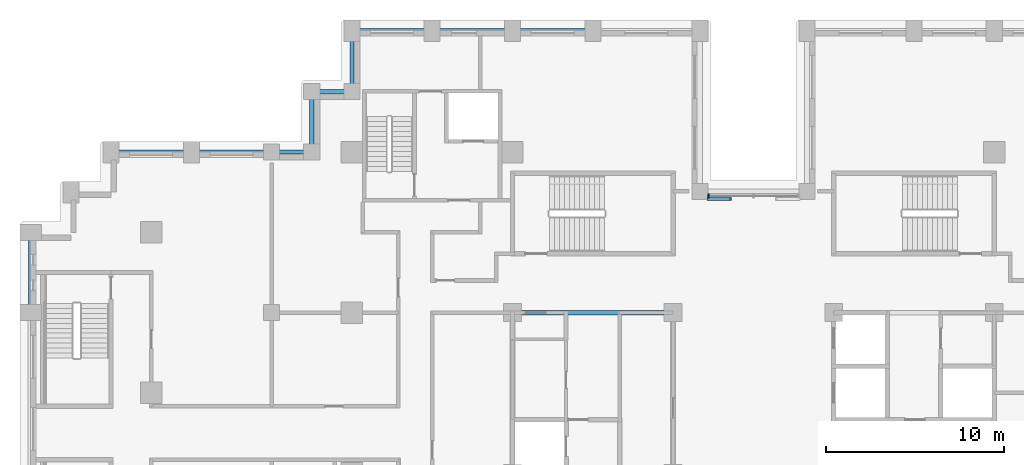
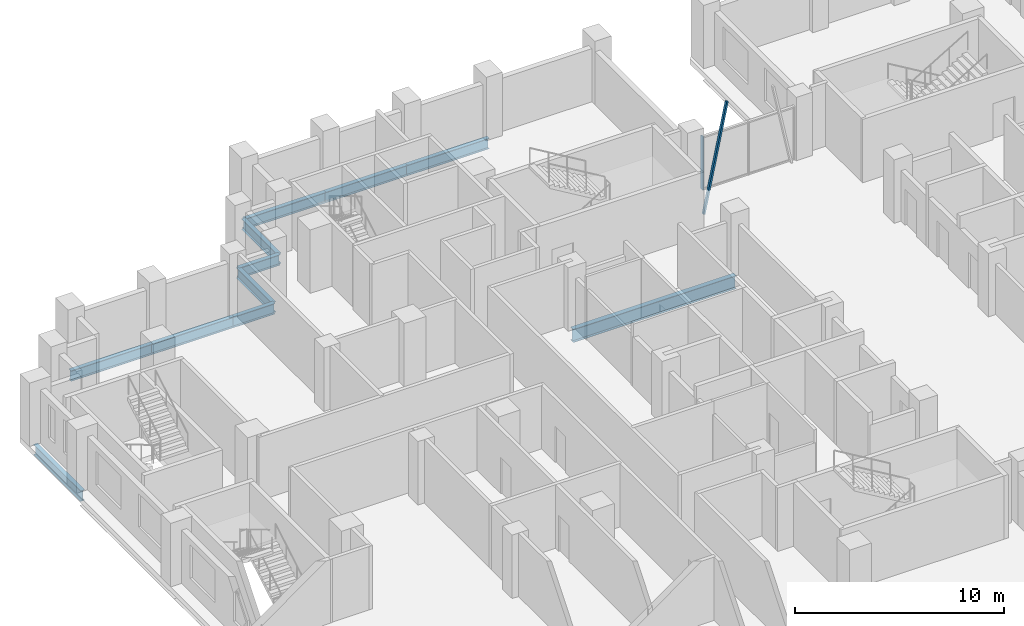
# One storey, part 3 of 16: 11 beams, 2 members, 1 element without a shape of its own.
"""IFC4 building model written with IfcOpenShell, lengths in metres."""

import ifcopenshell
import ifcopenshell.guid

model = None  # the IFC model being written
_history = None  # IfcOwnerHistory: only IFC2X3 demands one
_inside = {}  # id of a spatial element -> (the spatial element, [elements in it])
_under = {}  # id of a project, library or spatial element -> (it, [spatial elements below it])
_declared = {}  # id of a project -> (the project, [libraries it declares])
_typed = {}  # id of a type object -> (the type object, [elements of that type])
_made_of = {}  # id of a material, layer set ... -> (it, [elements and type objects made of it])


def new_model(schema):
    """Start an empty IFC model of exactly this schema.

    Asked for "IFC4X3", IfcOpenShell would pick the latest addendum, in which some entities
    have other attributes; the version numbers below select the first issue.
    IFC2X3 requires an IfcOwnerHistory on every rooted entity: one is made here for all.
    """
    global model, _history
    if schema == "IFC4X3":
        model = ifcopenshell.file(schema_version=(4, 3, 0, 0))
    else:
        model = ifcopenshell.file(schema=schema)
    _inside.clear()
    _under.clear()
    _declared.clear()
    _typed.clear()
    _made_of.clear()
    _history = None
    if model.schema == "IFC2X3":
        org = make("IfcOrganization", Name="unknown")
        user = make(
            "IfcPersonAndOrganization",
            ThePerson=make("IfcPerson", FamilyName="unknown"),
            TheOrganization=org,
        )
        app = make(
            "IfcApplication",
            ApplicationDeveloper=org,
            Version="unknown",
            ApplicationFullName="unknown",
            ApplicationIdentifier="unknown",
        )
        _history = make(
            "IfcOwnerHistory",
            OwningUser=user,
            OwningApplication=app,
            ChangeAction="ADDED",
            CreationDate=0,
        )
    return model


def make(cls, **values):
    """One entity of the class cls with the attributes given. An attribute that is None is left unset."""
    return model.create_entity(
        cls, **{name: value for name, value in values.items() if value is not None}
    )


def rooted(cls, **values):
    """An entity with a GlobalId (a new one), such as an element, a storey or a relation."""
    return make(cls, GlobalId=ifcopenshell.guid.new(), OwnerHistory=_history, **values)


def si_unit(unit_type, name, prefix=None):
    """IfcSIUnit, for example si_unit("LENGTHUNIT", "METRE", prefix="MILLI")."""
    return make("IfcSIUnit", UnitType=unit_type, Prefix=prefix, Name=name)


def assignment(units):
    """IfcUnitAssignment: the units of a project."""
    return None if units is None else make("IfcUnitAssignment", Units=units)


def point(xyz):
    """IfcCartesianPoint."""
    return None if xyz is None else make("IfcCartesianPoint", Coordinates=xyz)


def direction(xyz):
    """IfcDirection."""
    return None if xyz is None else make("IfcDirection", DirectionRatios=xyz)


def frame(location, z_axis=None, x_axis=None):
    """IfcAxis2Placement3D, a coordinate frame: its origin and axes. An axis left out is left unset."""
    return make(
        "IfcAxis2Placement3D",
        Location=point(location),
        Axis=direction(z_axis),
        RefDirection=direction(x_axis),
    )


def frame_2d(location, x_axis=None):
    """IfcAxis2Placement2D, a coordinate frame in the plane: its origin and x axis."""
    return make(
        "IfcAxis2Placement2D", Location=point(location), RefDirection=direction(x_axis)
    )


def origin():
    """The frame at (0, 0, 0) with its axes left unset."""
    return frame((0.0, 0.0, 0.0))


def origin_2d():
    """The frame at (0, 0) in the plane with its x axis left unset."""
    return frame_2d((0.0, 0.0))


def place(relative_to, where):
    """IfcLocalPlacement: puts the frame where relative to a parent placement (None: the world)."""
    return make(
        "IfcLocalPlacement", PlacementRelTo=relative_to, RelativePlacement=where
    )


def context(
    kind, dimensions, precision=None, world=None, true_north=None, identifier=None
):
    """IfcGeometricRepresentationContext, for example the 3D "Model" context."""
    return make(
        "IfcGeometricRepresentationContext",
        ContextIdentifier=identifier,
        ContextType=kind,
        CoordinateSpaceDimension=dimensions,
        Precision=precision,
        WorldCoordinateSystem=world,
        TrueNorth=true_north,
    )


def subcontext(parent, identifier, kind, view, scale=None):
    """IfcGeometricRepresentationSubContext, for example "Body" below "Model"."""
    return make(
        "IfcGeometricRepresentationSubContext",
        ContextIdentifier=identifier,
        ContextType=kind,
        ParentContext=parent,
        TargetScale=scale,
        TargetView=view,
    )


def project(units=None, contexts=None):
    """IfcProject with its units and contexts."""
    return rooted(
        "IfcProject",
        Name="project",
        RepresentationContexts=contexts,
        UnitsInContext=assignment(units),
    )


def spatial(cls, under=None, at=None, **own):
    """A site, building, storey or space (cls), placed at a placement, below another one or the project."""
    s = rooted(cls, ObjectPlacement=at, **own)
    if under is not None:
        _under.setdefault(under.id(), (under, []))[1].append(s)
    return s


def profile(cls, at=None, kind="AREA", **sizes):
    """A parametric profile (cls). Its sizes go by their IFC names, for example OverallWidth=200.0."""
    return make(cls, ProfileType=kind, Position=at, **sizes)


def rectangle(**sizes):
    """IfcRectangleProfileDef."""
    return profile("IfcRectangleProfileDef", **sizes)


def i_section(**sizes):
    """IfcIShapeProfileDef."""
    return profile("IfcIShapeProfileDef", **sizes)


def extrude(swept, where, along, depth):
    """IfcExtrudedAreaSolid: the profile swept, set in the frame where, extruded along a direction by depth."""
    return make(
        "IfcExtrudedAreaSolid",
        SweptArea=swept,
        Position=where,
        ExtrudedDirection=direction(along),
        Depth=depth,
    )


def shape(context_of_items, identifier, shape_type, items):
    """IfcShapeRepresentation: the items that make up one representation, for example the "Body"."""
    return make(
        "IfcShapeRepresentation",
        ContextOfItems=context_of_items,
        RepresentationIdentifier=identifier,
        RepresentationType=shape_type,
        Items=items,
    )


def material(Name=None, Category=None):
    """IfcMaterial."""
    return make("IfcMaterial", Name=Name, Category=Category)


def layer(
    of_material, thickness, ventilated=None, Name=None, Category=None, Priority=None
):
    """IfcMaterialLayer: one layer of a wall or slab, of a material (None: an air gap)."""
    return make(
        "IfcMaterialLayer",
        Material=of_material,
        LayerThickness=thickness,
        IsVentilated=ventilated,
        Name=Name,
        Category=Category,
        Priority=Priority,
    )


def layer_set(layers, Name=None):
    """IfcMaterialLayerSet."""
    return make("IfcMaterialLayerSet", MaterialLayers=layers, LayerSetName=Name)


def material_profile(
    of_material, cross_section, Name=None, Category=None, Priority=None
):
    """IfcMaterialProfile: a cross section and its material."""
    return make(
        "IfcMaterialProfile",
        Name=Name,
        Material=of_material,
        Profile=cross_section,
        Priority=Priority,
        Category=Category,
    )


def profile_set(profiles, Name=None, composite=None):
    """IfcMaterialProfileSet."""
    return make(
        "IfcMaterialProfileSet",
        Name=Name,
        MaterialProfiles=profiles,
        CompositeProfile=composite,
    )


def made_of(thing, what):
    """Note that an element or type object is made of a material, layer set ...; save() writes the relation."""
    if what is not None:
        _made_of.setdefault(what.id(), (what, []))[1].append(thing)
    return thing


def type_object(cls, material=None, **own):
    """A type object (cls), such as IfcWallType, which elements share."""
    return made_of(rooted(cls, **own), material)


def element(
    cls,
    number,
    at=None,
    inside=None,
    cuts=None,
    type_object=None,
    material=None,
    context=None,
    identifier="Body",
    shape_type=None,
    held_by="IfcProductDefinitionShape",
    body=None,
    shapes=None,
    **own,
):
    """One element of the class cls, such as IfcWall. Its Tag is "e" and its number.

    at: its placement. inside: the storey or other place that contains it. cuts: it is an
    opening in that element (IfcRelVoidsElement). A single representation is given by context,
    identifier, shape_type and body (its items); several are given by shapes. held_by: the class
    of the entity that holds the representations. save() writes the other relations.
    """
    e = rooted(cls, Tag="e%d" % number, ObjectPlacement=at, **own)
    if body is not None:
        shapes = [shape(context, identifier, shape_type, body)]
    if shapes is not None:
        e.Representation = make(held_by, Representations=shapes)
    if inside is not None:
        _inside.setdefault(inside.id(), (inside, []))[1].append(e)
    if cuts is not None:
        rooted(
            "IfcRelVoidsElement", RelatingBuildingElement=cuts, RelatedOpeningElement=e
        )
    if type_object is not None:
        _typed.setdefault(type_object.id(), (type_object, []))[1].append(e)
    return made_of(e, material)


def aggregate(whole, parts):
    """IfcRelAggregates: a whole, such as a stair, and the parts it consists of."""
    return rooted("IfcRelAggregates", RelatingObject=whole, RelatedObjects=parts)


def save(model, path):
    """Write the relations noted so far, then the file.

    IfcRelAggregates (storeys below a building ...), IfcRelContainedInSpatialStructure (elements
    in a storey), IfcRelDefinesByType, IfcRelAssociatesMaterial and IfcRelDeclares: one each for
    every whole, place, type object, material and project.
    """
    for whole, parts in _under.values():
        aggregate(whole, parts)
    for where, things in _inside.values():
        rooted(
            "IfcRelContainedInSpatialStructure",
            RelatedElements=things,
            RelatingStructure=where,
        )
    for kind, things in _typed.values():
        rooted("IfcRelDefinesByType", RelatedObjects=things, RelatingType=kind)
    for what, things in _made_of.values():
        rooted("IfcRelAssociatesMaterial", RelatedObjects=things, RelatingMaterial=what)
    for by, libraries in _declared.values():
        rooted("IfcRelDeclares", RelatingContext=by, RelatedDefinitions=libraries)
    model.write(path)


model = new_model("IFC4")

# Units and contexts
model_context = context("Model", 3, precision=1e-05, world=origin(), true_north=direction((0.0, 1.0)))
body_context = subcontext(model_context, "Body", "Model", "MODEL_VIEW")
ifc_project = project(units=[si_unit("LENGTHUNIT", "METRE"), si_unit("AREAUNIT", "SQUARE_METRE"), si_unit("VOLUMEUNIT", "CUBIC_METRE"), si_unit("PLANEANGLEUNIT", "RADIAN"), si_unit("MASSUNIT", "GRAM", prefix="KILO")], contexts=[model_context])

# Site, building, storey
site_placement = place(None, origin())
site = spatial("IfcSite", under=ifc_project, at=site_placement, CompositionType="ELEMENT")
building_placement = place(site_placement, origin())
building = spatial("IfcBuilding", under=site, at=building_placement, Name="Corbelhall Arena Tower", CompositionType="ELEMENT")
storey_placement = place(building_placement, frame((0.0, 0.0, 112.0)))
storey = spatial("IfcBuildingStorey", under=building, at=storey_placement, Name="L20", CompositionType="ELEMENT", Elevation=112.0)

# Curtain wall, member
ifc_material_1 = material(Name="Aluminium black anodised", Category="aluminium")
ifc_layer = layer(ifc_material_1, 0.199951171875)
ifc_layer_set = layer_set([ifc_layer], Name="EV-CW1 Slot back wall")
curtain_wall_type = type_object("IfcCurtainWallType", Name="EV-CW1 Slot back wall", PredefinedType="NOTDEFINED", material=ifc_layer_set)
curtain_wall_placement = place(storey_placement, origin())
curtain_wall = element("IfcCurtainWall", 1, at=curtain_wall_placement, inside=storey, type_object=curtain_wall_type, Name="Curtain wall CW1", PredefinedType="NOTDEFINED")
ifc_material_profile_1 = material_profile(ifc_material_1, rectangle(XDim=0.199951171875, YDim=0.074951171875, at=origin_2d()))
ifc_profile_set_1 = profile_set([ifc_material_profile_1], Name="Aluminium black anodised")
member_type_1 = type_object("IfcMemberType", Name="EV-CW1-MULLION", PredefinedType="MULLION", material=ifc_profile_set_1)
member_1_placement = place(storey_placement, frame((-2.512451171875, 15.550048828125, 0.0), z_axis=(0.0, 0.0, 1.0), x_axis=(0.0, -1.0, 0.0)))
member_1 = element("IfcMember", 2, at=member_1_placement, type_object=member_type_1, Name="CW1 mullion 3", PredefinedType="MULLION", context=body_context, shape_type="SweptSolid", body=[
    extrude(rectangle(XDim=0.199951171875, YDim=0.074951171875, at=origin_2d()), origin(), (0.0, 0.0, 1.0), 3.10009765625),
])
aggregate(curtain_wall, [member_1])

# Member
ifc_material_profile_2 = material_profile(ifc_material_1, rectangle(XDim=0.159912109375, YDim=0.10009765625, at=origin_2d()))
ifc_profile_set_2 = profile_set([ifc_material_profile_2], Name="Aluminium black anodised")
member_type_2 = type_object("IfcMemberType", Name="EV-TR1 Tracery bar", PredefinedType="USERDEFINED", material=ifc_profile_set_2)
member_2_placement = place(storey_placement, frame((-1.27490234375, 15.3701171875, 4.807373046875), z_axis=(-0.204144671158, 0.0, -0.978940730197), x_axis=(0.0, -1.0, 0.0)))
element("IfcMember", 3, at=member_2_placement, inside=storey, type_object=member_type_2, Name="Tracery bar", ObjectType="TRACERY", PredefinedType="USERDEFINED", context=body_context, shape_type="SweptSolid", body=[
    extrude(rectangle(XDim=0.159912109375, YDim=0.10009765625, at=origin_2d()), origin(), (0.0, 0.0, 1.0), 6.246337890625),
])

# Beams
ifc_material_2 = material(Name="Steel ASTM A992 Gr50", Category="steel")
ifc_material_profile_3 = material_profile(ifc_material_2, i_section(OverallWidth=0.2666015625, OverallDepth=0.761962890625, WebThickness=0.014404296875, FlangeThickness=0.021484375, at=origin_2d()))
ifc_profile_set_3 = profile_set([ifc_material_profile_3], Name="Steel ASTM A992 Gr50")
beam_type_1 = type_object("IfcBeamType", Name="ST-BEAM-W30x116", PredefinedType="BEAM", material=ifc_profile_set_3)
beam_1_placement = place(storey_placement, frame((-13.5, 9.0, -0.680908203125), z_axis=(1.0, 0.0, 0.0), x_axis=(0.0, 1.0, 0.0)))
element("IfcBeam", 4, at=beam_1_placement, inside=storey, type_object=beam_type_1, Name="Beam CEW 6", PredefinedType="BEAM", context=body_context, shape_type="SweptSolid", body=[
    extrude(i_section(OverallWidth=0.2666015625, OverallDepth=0.761962890625, WebThickness=0.014404296875, FlangeThickness=0.021484375, at=origin_2d()), origin(), (0.0, 0.0, 1.0), 9.0),
])
ifc_material_profile_4 = material_profile(ifc_material_2, i_section(OverallWidth=0.23046875, OverallDepth=0.6171875, WebThickness=0.01318359375, FlangeThickness=0.022216796875, at=origin_2d()))
ifc_profile_set_4 = profile_set([ifc_material_profile_4], Name="Steel ASTM A992 Gr50")
beam_type_2 = type_object("IfcBeamType", Name="ST-SPANDREL-W24x94", PredefinedType="SPANDREL", material=ifc_profile_set_4)
for number, where, z_axis, x_axis, name in (
    (5, (-40.5, 9.0, -0.608642578125), (0.0, 1.0, 0.0), (-1.0, 0.0, 0.0), "Beam SP 2"),
    (6, (-31.5, 18.0, -0.608642578125), (1.0, 0.0, 0.0), (0.0, 1.0, 0.0), "Beam SP 5"),
    (7, (-36.0, 18.0, -0.608642578125), (1.0, 0.0, 0.0), (0.0, 1.0, 0.0), "Beam SP 6"),
    (8, (-13.5, 24.800048828125, -0.608642578125), (1.0, 0.0, 0.0), (0.0, 1.0, 0.0), "Beam SP 24"),
    (9, (-18.0, 24.800048828125, -0.608642578125), (1.0, 0.0, 0.0), (0.0, 1.0, 0.0), "Beam SP 25"),
    (10, (-22.5, 24.800048828125, -0.608642578125), (1.0, 0.0, 0.0), (0.0, 1.0, 0.0), "Beam SP 26"),
):
    element("IfcBeam", number, at=place(storey_placement, frame(where, z_axis=z_axis, x_axis=x_axis)), inside=storey, type_object=beam_type_2, Name=name, PredefinedType="SPANDREL", context=body_context, shape_type="SweptSolid", body=[
        extrude(i_section(OverallWidth=0.23046875, OverallDepth=0.6171875, WebThickness=0.01318359375, FlangeThickness=0.022216796875, at=origin_2d()), origin(), (0.0, 0.0, 1.0), 4.5),
    ])
beam_2_placement = place(storey_placement, frame((-27.0, 18.0, -0.608642578125), z_axis=(1.0, 0.0, 0.0), x_axis=(0.0, 1.0, 0.0)))
element("IfcBeam", 11, at=beam_2_placement, inside=storey, type_object=beam_type_2, Name="Beam SP 37", PredefinedType="SPANDREL", context=body_context, shape_type="SweptSolid", body=[
    extrude(i_section(OverallWidth=0.23046875, OverallDepth=0.6171875, WebThickness=0.01318359375, FlangeThickness=0.022216796875, at=origin_2d()), origin(), (0.0, 0.0, 1.0), 2.25),
])
beam_3_placement = place(storey_placement, frame((-22.5, 21.39990234375, -0.608642578125), z_axis=(0.0, 1.0, 0.0), x_axis=(-1.0, 0.0, 0.0)))
element("IfcBeam", 12, at=beam_3_placement, inside=storey, type_object=beam_type_2, Name="Beam SP 46", PredefinedType="SPANDREL", context=body_context, shape_type="SweptSolid", body=[
    extrude(i_section(OverallWidth=0.23046875, OverallDepth=0.6171875, WebThickness=0.01318359375, FlangeThickness=0.022216796875, at=origin_2d()), origin(), (0.0, 0.0, 1.0), 3.400146484375),
])
beam_4_placement = place(storey_placement, frame((-24.75, 21.39990234375, -0.608642578125), z_axis=(1.0, 0.0, 0.0), x_axis=(0.0, 1.0, 0.0)))
element("IfcBeam", 13, at=beam_4_placement, inside=storey, type_object=beam_type_2, Name="Beam SP 47", PredefinedType="SPANDREL", context=body_context, shape_type="SweptSolid", body=[
    extrude(i_section(OverallWidth=0.23046875, OverallDepth=0.6171875, WebThickness=0.01318359375, FlangeThickness=0.022216796875, at=origin_2d()), origin(), (0.0, 0.0, 1.0), 2.25),
])
beam_5_placement = place(storey_placement, frame((-24.75, 18.0, -0.608642578125), z_axis=(0.0, 1.0, 0.0), x_axis=(-1.0, 0.0, 0.0)))
element("IfcBeam", 14, at=beam_5_placement, inside=storey, type_object=beam_type_2, Name="Beam SP 48", PredefinedType="SPANDREL", context=body_context, shape_type="SweptSolid", body=[
    extrude(i_section(OverallWidth=0.23046875, OverallDepth=0.6171875, WebThickness=0.01318359375, FlangeThickness=0.022216796875, at=origin_2d()), origin(), (0.0, 0.0, 1.0), 3.39990234375),
])

save(model, "model.ifc")
